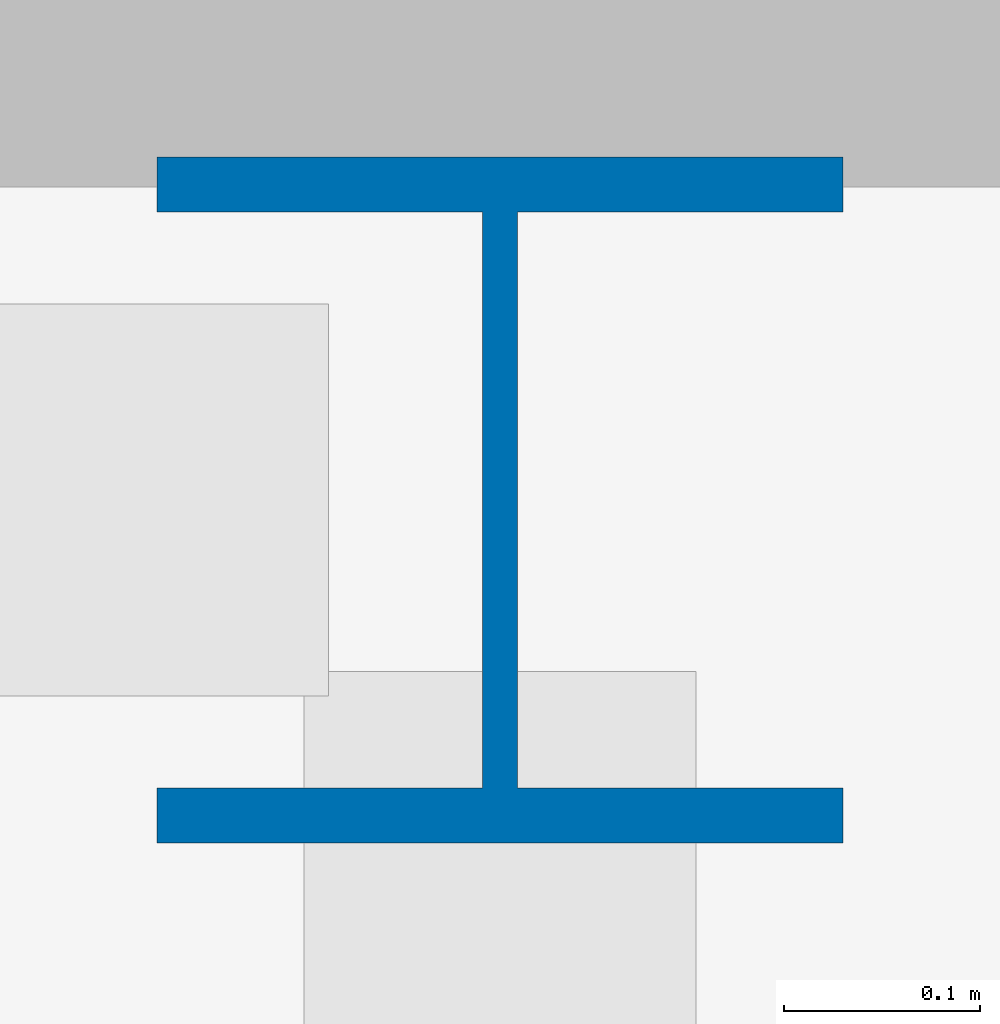
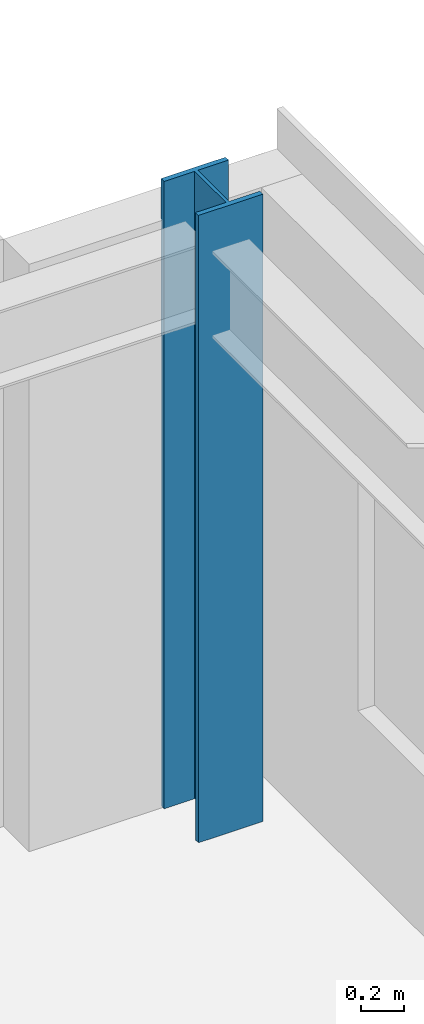
# One storey, part 4 of 23: 1 column.
"""IFC4 building model written with IfcOpenShell, lengths in metres."""

from ifc_helpers import new_model, si_unit, direction, frame, origin, origin_2d, place, context, subcontext, project, spatial, i_section, extrude, source, transform, mapped, material, material_profile, profile_set, type_object, element, save


model = new_model("IFC4")

# Units and contexts
model_context = context("Model", 3, precision=1e-05, world=origin(), true_north=direction((0.0, 1.0)))
body_context = subcontext(model_context, "Body", "Model", "MODEL_VIEW")
ifc_project = project(units=[si_unit("LENGTHUNIT", "METRE"), si_unit("AREAUNIT", "SQUARE_METRE"), si_unit("VOLUMEUNIT", "CUBIC_METRE"), si_unit("PLANEANGLEUNIT", "RADIAN"), si_unit("MASSUNIT", "GRAM", prefix="KILO")], contexts=[model_context])

# Site, building, storey
site_placement = place(None, origin())
site = spatial("IfcSite", under=ifc_project, at=site_placement, CompositionType="ELEMENT")
building_placement = place(site_placement, origin())
building = spatial("IfcBuilding", under=site, at=building_placement, Name="Trelvane Seafront Commons", CompositionType="ELEMENT")
storey_placement = place(building_placement, frame((0.0, 0.0, 259.5)))
storey = spatial("IfcBuildingStorey", under=building, at=storey_placement, Name="L67", CompositionType="ELEMENT", Elevation=259.5)

# Column
ifc_material = material(Name="Steel SM355 (S355)", Category="steel")
ifc_material_profile = material_profile(ifc_material, i_section(OverallWidth=0.35009765625, OverallDepth=0.35009765625, WebThickness=0.01806640625, FlangeThickness=0.028076171875, at=origin_2d()), Name="HD-350x350x18x28")
ifc_profile_set = profile_set([ifc_material_profile], Name="Steel SM355 (S355)")
column_type = type_object("IfcColumnType", Name="STR-COL-HD350", PredefinedType="COLUMN", material=ifc_profile_set)
shared_shape = source(origin(), body_context, "Body", "SweptSolid", [
    extrude(i_section(OverallWidth=0.35009765625, OverallDepth=0.35009765625, WebThickness=0.01806640625, FlangeThickness=0.028076171875, at=origin_2d()), origin(), (0.0, 0.0, 1.0), 3.60009765625),
])
column_placement = place(storey_placement, frame((65.60009765625, 45.10009765625, 0.0), z_axis=(0.0, 0.0, 1.0), x_axis=(1.0, 0.0, 0.0)))
element("IfcColumn", 1, at=column_placement, inside=storey, type_object=column_type, Name="L67 Column TC-CN65.6", PredefinedType="COLUMN", context=body_context, shape_type="MappedRepresentation", body=[
    mapped(shared_shape, transform((0.0, 0.0, 0.0), x_axis=(1.0, 0.0, 0.0), y_axis=(0.0, 1.0, 0.0), z_axis=(0.0, 0.0, 1.0), scale=1.0)),
])

save(model, "model.ifc")
